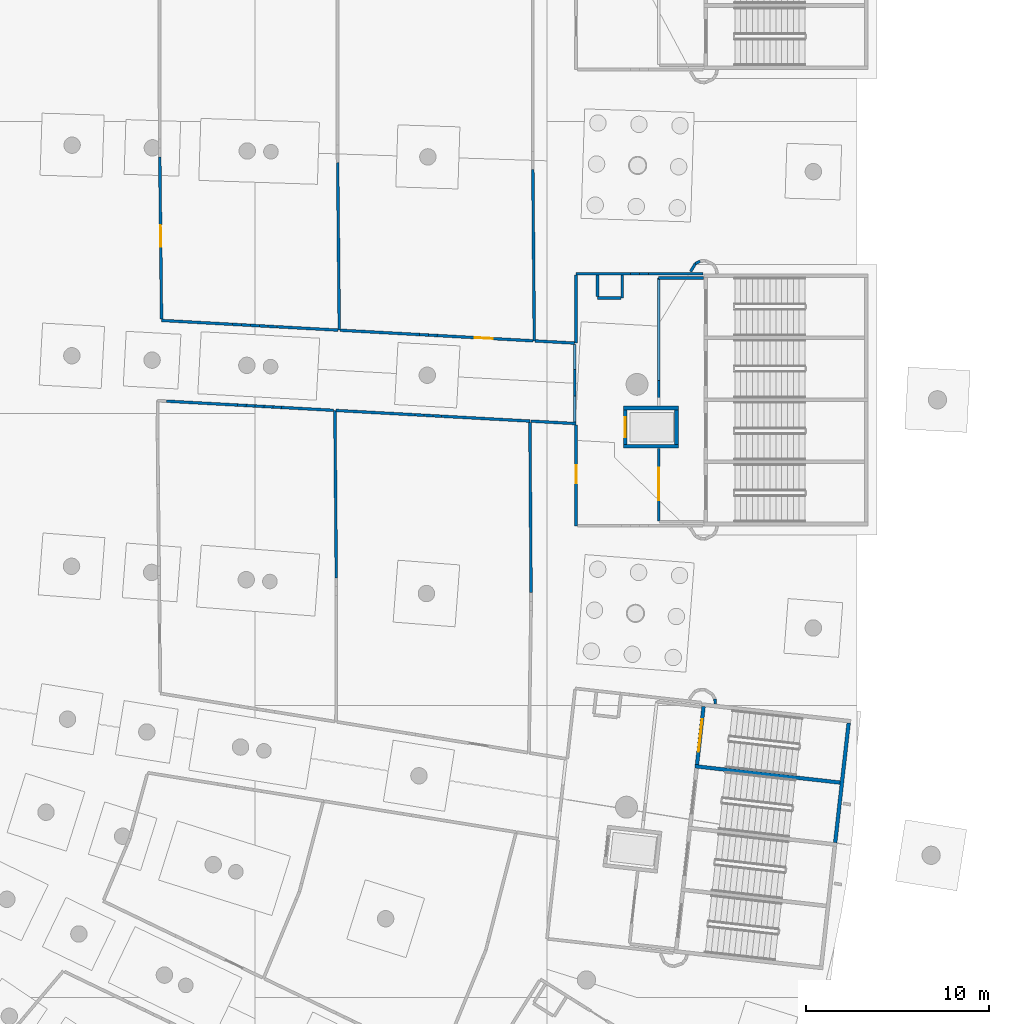
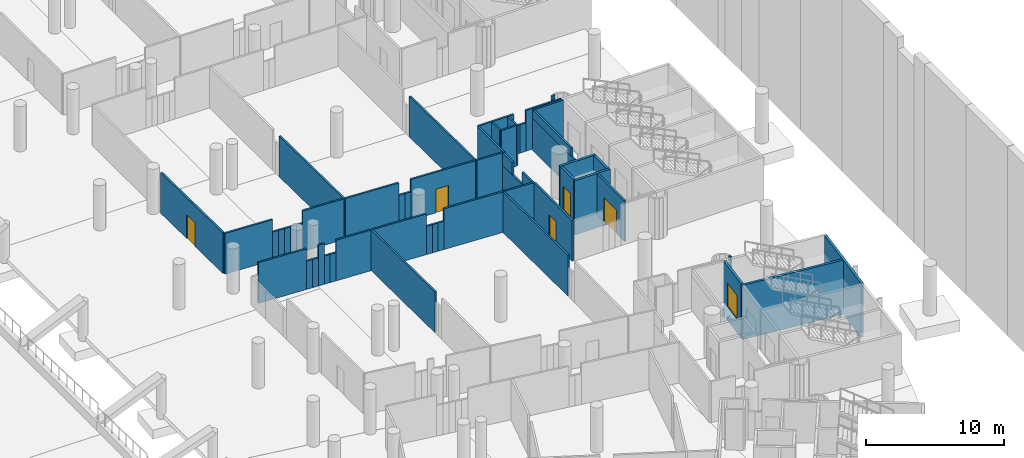
# One storey, part 62 of 142: 56 walls, 6 doors, 6 openings.
"""IFC4 building model written with IfcOpenShell, lengths in metres."""

from ifc_helpers import new_model, si_unit, direction, frame, frame_2d, origin, place, context, subcontext, project, spatial, rectangle, extrude, material, layer, layer_set, type_object, element, fill, save


model = new_model("IFC4")

# Units and contexts
model_context = context("Model", 3, precision=1e-05, world=origin(), true_north=direction((0.0, 1.0)))
body_context = subcontext(model_context, "Body", "Model", "MODEL_VIEW")
ifc_project = project(units=[si_unit("LENGTHUNIT", "METRE"), si_unit("AREAUNIT", "SQUARE_METRE"), si_unit("VOLUMEUNIT", "CUBIC_METRE"), si_unit("PLANEANGLEUNIT", "RADIAN"), si_unit("MASSUNIT", "GRAM", prefix="KILO")], contexts=[model_context])

# Site, building, storey
site_placement = place(None, origin())
site = spatial("IfcSite", under=ifc_project, at=site_placement, CompositionType="ELEMENT")
building_placement = place(site_placement, origin())
building = spatial("IfcBuilding", under=site, at=building_placement, Name="Meseta Stadium", CompositionType="ELEMENT")
storey_placement = place(building_placement, frame((0.0, 0.0, -4.0)))
storey = spatial("IfcBuildingStorey", under=building, at=storey_placement, Name="B1", CompositionType="ELEMENT", Elevation=-4.0)

# Walls
ifc_material_1 = material(Name="Concrete C40/50", Category="concrete")
ifc_layer_1 = layer(ifc_material_1, 0.199951171875)
ifc_layer_set_1 = layer_set([ifc_layer_1], Name="Core divider wall 200")
wall_type_1 = type_object("IfcWallType", Name="Core divider wall 200", PredefinedType="SHEAR", material=ifc_layer_set_1)
wall_1_placement = place(storey_placement, frame((96.264892578125, -52.241943359375, -1.199951171875), z_axis=(0.0, 0.0, 1.0), x_axis=(-0.993713731549, 0.111950970206, 0.0)))
element("IfcWall", 1, at=wall_1_placement, inside=storey, type_object=wall_type_1, Name="Core 01 B1 stair B divider wall", PredefinedType="SHEAR", context=body_context, shape_type="SweptSolid", body=[
    extrude(rectangle(XDim=8.19970703125, YDim=0.199951171875, at=frame_2d((4.099853515625, 0.0))), origin(), (0.0, 0.0, 1.0), 4.800048828125),
])
ifc_material_2 = material(Name="Concrete C40/50", Category="concrete")
ifc_layer_2 = layer(ifc_material_2, 0.199951171875)
ifc_layer_set_2 = layer_set([ifc_layer_2], Name="Core shaft wall 200")
wall_type_2 = type_object("IfcWallType", Name="Core shaft wall 200", PredefinedType="SHEAR", material=ifc_layer_set_2)
wall_2_placement = place(storey_placement, frame((95.796142578125, -55.510009765625, -1.199951171875), z_axis=(0.0, 0.0, 1.0), x_axis=(0.111970106426, 0.993711575492, 0.0)))
element("IfcWall", 2, at=wall_2_placement, inside=storey, type_object=wall_type_2, Name="Core 01 B1 stair B outer end wall", PredefinedType="SHEAR", context=body_context, shape_type="SweptSolid", body=[
    extrude(rectangle(XDim=6.60009765625, YDim=0.199951171875, at=frame_2d((3.300048828125, 0.0))), origin(), (0.0, 0.0, 1.0), 4.800048828125),
])

# Wall, opening, door
wall_3_placement = place(storey_placement, frame((88.227294921875, -51.235595703125, -1.199951171875), z_axis=(0.0, 0.0, 1.0), x_axis=(0.111930393474, 0.993716049491, 0.0)))
wall_3 = element("IfcWall", 3, at=wall_3_placement, inside=storey, type_object=wall_type_2, Name="Core 01 B1 stair B2 inner end wall", PredefinedType="SHEAR", context=body_context, shape_type="SweptSolid", body=[
    extrude(rectangle(XDim=3.19970703125, YDim=0.199951171875, at=frame_2d((1.599853515625, 0.0))), origin(), (0.0, 0.0, 1.0), 4.800048828125),
])
opening_1_placement = place(wall_3_placement, frame((0.699951171875, 0.0, 1.199951171875)))
opening_1 = element("IfcOpeningElement", 4, at=opening_1_placement, cuts=wall_3, Name="Opening D034", PredefinedType="OPENING", context=body_context, shape_type="SweptSolid", body=[
    extrude(rectangle(XDim=1.800048828125, YDim=2.10009765625, at=frame_2d((0.89990234375, 1.050048828125))), frame((0.0, 0.10986328125, 0.0), z_axis=(0.0, -1.0, 0.0), x_axis=(1.0, 0.0, 0.0)), (0.0, 0.0, 1.0), 0.219970703125),
])
ifc_material_3 = material(Name="Steel", Category="steel")
door_type_1 = type_object("IfcDoorType", Name="Stair door 1800x2100", OperationType="DOUBLE_DOOR_SINGLE_SWING", PredefinedType="DOOR", material=ifc_material_3)
door_1_placement = place(opening_1_placement, origin())
door_1 = element("IfcDoor", 5, at=door_1_placement, inside=storey, type_object=door_type_1, Name="Stair B2 door 01 B1", OperationType="DOUBLE_DOOR_SINGLE_SWING", OverallHeight=2.10009765625, OverallWidth=1.800048828125, PredefinedType="DOOR", context=body_context, shape_type="SweptSolid", body=[
    extrude(rectangle(XDim=1.800048828125, YDim=2.10009765625, at=frame_2d((0.89990234375, 1.050048828125))), frame((0.0, 0.02490234375, 0.0), z_axis=(0.0, -1.0, 0.0), x_axis=(1.0, 0.0, 0.0)), (0.0, 0.0, 1.0), 0.050048828125),
])
fill(opening_1, door_1)

# Walls
for number, where, z_axis, x_axis, name in (
    (6, (87.199951171875, -33.800048828125, -1.199951171875), (0.0, 0.0, 1.0), (-1.0, 0.0, 0.0), "Core 02 B1 lift shaft wall left"),
    (7, (87.199951171875, -31.699951171875, -1.199951171875), (0.0, 0.0, 1.0), (-1.0, 0.0, 0.0), "Core 02 B1 lift shaft wall right"),
):
    element("IfcWall", number, at=place(storey_placement, frame(where, z_axis=z_axis, x_axis=x_axis)), inside=storey, type_object=wall_type_2, Name=name, PredefinedType="SHEAR", context=body_context, shape_type="SweptSolid", body=[
        extrude(rectangle(XDim=3.0, YDim=0.199951171875, at=frame_2d((1.5, 0.0))), origin(), (0.0, 0.0, 1.0), 4.800048828125),
    ])
wall_4_placement = place(storey_placement, frame((87.10009765625, -33.699951171875, -1.199951171875), z_axis=(0.0, 0.0, 1.0), x_axis=(0.0, 1.0, 0.0)))
element("IfcWall", 8, at=wall_4_placement, inside=storey, type_object=wall_type_2, Name="Core 02 B1 lift shaft back wall", PredefinedType="SHEAR", context=body_context, shape_type="SweptSolid", body=[
    extrude(rectangle(XDim=1.89990234375, YDim=0.199951171875, at=frame_2d((0.949951171875, 0.0))), origin(), (0.0, 0.0, 1.0), 4.800048828125),
])

# Wall, opening, door
wall_5_placement = place(storey_placement, frame((84.300048828125, -33.699951171875, -1.199951171875), z_axis=(0.0, 0.0, 1.0), x_axis=(0.0, 1.0, 0.0)))
wall_5 = element("IfcWall", 9, at=wall_5_placement, inside=storey, type_object=wall_type_2, Name="Core 02 B1 lift shaft front wall", PredefinedType="SHEAR", context=body_context, shape_type="SweptSolid", body=[
    extrude(rectangle(XDim=1.89990234375, YDim=0.199951171875, at=frame_2d((0.949951171875, 0.0))), origin(), (0.0, 0.0, 1.0), 4.800048828125),
])
opening_2_placement = place(wall_5_placement, frame((0.39990234375, 0.0, 1.199951171875)))
opening_2 = element("IfcOpeningElement", 10, at=opening_2_placement, cuts=wall_5, Name="Opening LD7", PredefinedType="OPENING", context=body_context, shape_type="SweptSolid", body=[
    extrude(rectangle(XDim=1.10009765625, YDim=2.10009765625, at=frame_2d((0.550048828125, 1.050048828125))), frame((0.0, 0.10986328125, 0.0), z_axis=(0.0, -1.0, 0.0), x_axis=(1.0, 0.0, 0.0)), (0.0, 0.0, 1.0), 0.219970703125),
])
ifc_material_4 = material(Name="Steel", Category="steel")
door_type_2 = type_object("IfcDoorType", Name="Lift landing door 1100x2100", OperationType="SLIDING_TO_LEFT", PredefinedType="DOOR", material=ifc_material_4)
door_2_placement = place(opening_2_placement, origin())
door_2 = element("IfcDoor", 11, at=door_2_placement, inside=storey, type_object=door_type_2, Name="Lift landing door LD7", OperationType="SLIDING_TO_LEFT", OverallHeight=2.10009765625, OverallWidth=1.10009765625, PredefinedType="DOOR", context=body_context, shape_type="SweptSolid", body=[
    extrude(rectangle(XDim=1.10009765625, YDim=2.10009765625, at=frame_2d((0.550048828125, 1.050048828125))), frame((0.0, 0.02490234375, 0.0), z_axis=(0.0, -1.0, 0.0), x_axis=(1.0, 0.0, 0.0)), (0.0, 0.0, 1.0), 0.050048828125),
])
fill(opening_2, door_2)

# Walls
ifc_material_5 = material(Name="Masonry blockwork", Category="masonry")
ifc_layer_3 = layer(ifc_material_5, 0.14990234375)
ifc_layer_set_3 = layer_set([ifc_layer_3], Name="Partition 150")
wall_type_3 = type_object("IfcWallType", Name="Partition 150", PredefinedType="PARTITIONING", material=ifc_layer_set_3)
wall_6_placement = place(storey_placement, frame((68.38818359375, -31.829833984375, 0.0), z_axis=(0.0, 0.0, 1.0), x_axis=(0.008385393601, -0.999964841969, 0.0)))
element("IfcWall", 12, at=wall_6_placement, inside=storey, type_object=wall_type_3, Name="Partition B1 B1-cell00-1-0", PredefinedType="PARTITIONING", context=body_context, shape_type="SweptSolid", body=[
    extrude(rectangle(XDim=9.171142578125, YDim=0.14990234375, at=frame_2d((4.58544921875, 0.0))), origin(), (0.0, 0.0, 1.0), 3.60009765625),
])
wall_7_placement = place(storey_placement, frame((59.163818359375, -31.32421875, 0.0), z_axis=(0.0, 0.0, 1.0), x_axis=(0.998501024758, -0.054733020718, 0.0)))
element("IfcWall", 13, at=wall_7_placement, inside=storey, type_object=wall_type_3, Name="Partition B1 B1-cell00-1-0", PredefinedType="PARTITIONING", context=body_context, shape_type="SweptSolid", body=[
    extrude(rectangle(XDim=3.8896484375, YDim=0.14990234375, at=frame_2d((1.94482421875, 0.0))), origin(), (0.0, 0.0, 1.0), 3.60009765625),
])
for number, where, z_axis, x_axis, name in (
    (14, (63.047607421875, -31.537109375, 0.0), (0.0, 0.0, 1.0), (0.998501776603, -0.054719302991, 0.0), "Partition B1 B1-cell00-1-0"),
    (15, (63.533203125, -31.563720703125, 0.0), (0.0, 0.0, 1.0), (0.998501776603, -0.054719302991, 0.0), "Partition B1 B1-cell00-1-0"),
):
    element("IfcWall", number, at=place(storey_placement, frame(where, z_axis=z_axis, x_axis=x_axis)), inside=storey, type_object=wall_type_3, Name=name, PredefinedType="PARTITIONING", context=body_context, shape_type="SweptSolid", body=[
        extrude(rectangle(XDim=0.486328125, YDim=0.14990234375, at=frame_2d((0.2431640625, 0.0))), origin(), (0.0, 0.0, 1.0), 2.5),
    ])
wall_8_placement = place(storey_placement, frame((64.018798828125, -31.59033203125, 0.0), z_axis=(0.0, 0.0, 1.0), x_axis=(0.998500272347, -0.054746745315, 0.0)))
element("IfcWall", 16, at=wall_8_placement, inside=storey, type_object=wall_type_3, Name="Partition B1 B1-cell00-1-0", PredefinedType="PARTITIONING", context=body_context, shape_type="SweptSolid", body=[
    extrude(rectangle(XDim=0.486083984375, YDim=0.14990234375, at=frame_2d((0.2431640625, 0.0))), origin(), (0.0, 0.0, 1.0), 3.60009765625),
])
wall_9_placement = place(storey_placement, frame((64.504150390625, -31.616943359375, 0.0), z_axis=(0.0, 0.0, 1.0), x_axis=(0.998501776603, -0.054719302991, 0.0)))
element("IfcWall", 17, at=wall_9_placement, inside=storey, type_object=wall_type_3, Name="Partition B1 B1-cell00-1-0", PredefinedType="PARTITIONING", context=body_context, shape_type="SweptSolid", body=[
    extrude(rectangle(XDim=0.486328125, YDim=0.14990234375, at=frame_2d((0.2431640625, 0.0))), origin(), (0.0, 0.0, 1.0), 2.5),
])
wall_10_placement = place(storey_placement, frame((64.98974609375, -31.6435546875, 0.0), z_axis=(0.0, 0.0, 1.0), x_axis=(0.998500272347, -0.054746745315, 0.0)))
element("IfcWall", 18, at=wall_10_placement, inside=storey, type_object=wall_type_3, Name="Partition B1 B1-cell00-1-0", PredefinedType="PARTITIONING", context=body_context, shape_type="SweptSolid", body=[
    extrude(rectangle(XDim=0.486083984375, YDim=0.14990234375, at=frame_2d((0.2431640625, 0.0))), origin(), (0.0, 0.0, 1.0), 2.5),
])
wall_11_placement = place(storey_placement, frame((65.47509765625, -31.670166015625, 0.0), z_axis=(0.0, 0.0, 1.0), x_axis=(0.998502088035, -0.054713619792, 0.0)))
element("IfcWall", 19, at=wall_11_placement, inside=storey, type_object=wall_type_3, Name="Partition B1 B1-cell00-1-0", PredefinedType="PARTITIONING", context=body_context, shape_type="SweptSolid", body=[
    extrude(rectangle(XDim=2.84228515625, YDim=0.14990234375, at=frame_2d((1.421142578125, 0.0))), origin(), (0.0, 0.0, 1.0), 3.60009765625),
])
wall_12_placement = place(storey_placement, frame((68.438232421875, -31.83251953125, 0.0), z_axis=(0.0, 0.0, 1.0), x_axis=(0.998500264643, -0.054746885827, 0.0)))
element("IfcWall", 20, at=wall_12_placement, inside=storey, type_object=wall_type_3, Name="Partition B1 B1-cell00-2-0", PredefinedType="PARTITIONING", context=body_context, shape_type="SweptSolid", body=[
    extrude(rectangle(XDim=4.35693359375, YDim=0.14990234375, at=frame_2d((2.178466796875, 0.0))), origin(), (0.0, 0.0, 1.0), 3.60009765625),
])
wall_13_placement = place(storey_placement, frame((72.78857421875, -32.071044921875, 0.0), z_axis=(0.0, 0.0, 1.0), x_axis=(0.998488156378, -0.054967277296, 0.0)))
element("IfcWall", 21, at=wall_13_placement, inside=storey, type_object=wall_type_3, Name="Partition B1 B1-cell00-2-0", PredefinedType="PARTITIONING", context=body_context, shape_type="SweptSolid", body=[
    extrude(rectangle(XDim=0.484130859375, YDim=0.14990234375, at=frame_2d((0.2421875, 0.0))), origin(), (0.0, 0.0, 1.0), 2.5),
])
wall_14_placement = place(storey_placement, frame((73.27197265625, -32.09765625, 0.0), z_axis=(0.0, 0.0, 1.0), x_axis=(0.998514210852, -0.054491932679, 0.0)))
element("IfcWall", 22, at=wall_14_placement, inside=storey, type_object=wall_type_3, Name="Partition B1 B1-cell00-2-0", PredefinedType="PARTITIONING", context=body_context, shape_type="SweptSolid", body=[
    extrude(rectangle(XDim=0.48388671875, YDim=0.14990234375, at=frame_2d((0.241943359375, 0.0))), origin(), (0.0, 0.0, 1.0), 2.5),
])
wall_15_placement = place(storey_placement, frame((73.755126953125, -32.1240234375, 0.0), z_axis=(0.0, 0.0, 1.0), x_axis=(0.998488156378, -0.054967277296, 0.0)))
element("IfcWall", 23, at=wall_15_placement, inside=storey, type_object=wall_type_3, Name="Partition B1 B1-cell00-2-0", PredefinedType="PARTITIONING", context=body_context, shape_type="SweptSolid", body=[
    extrude(rectangle(XDim=0.484130859375, YDim=0.14990234375, at=frame_2d((0.2421875, 0.0))), origin(), (0.0, 0.0, 1.0), 2.5),
])
wall_16_placement = place(storey_placement, frame((74.238525390625, -32.150634765625, 0.0), z_axis=(0.0, 0.0, 1.0), x_axis=(0.998501812622, -0.054718645724, 0.0)))
element("IfcWall", 24, at=wall_16_placement, inside=storey, type_object=wall_type_3, Name="Partition B1 B1-cell00-2-0", PredefinedType="PARTITIONING", context=body_context, shape_type="SweptSolid", body=[
    extrude(rectangle(XDim=4.841064453125, YDim=0.14990234375, at=frame_2d((2.42041015625, 0.0))), origin(), (0.0, 0.0, 1.0), 3.60009765625),
])
wall_17_placement = place(storey_placement, frame((79.07275390625, -32.49072265625, 0.0), z_axis=(0.0, 0.0, 1.0), x_axis=(0.006629312175, -0.999978025869, 0.0)))
element("IfcWall", 25, at=wall_17_placement, inside=storey, type_object=wall_type_3, Name="Partition B1 B1-cell00-2-0", PredefinedType="PARTITIONING", context=body_context, shape_type="SweptSolid", body=[
    extrude(rectangle(XDim=9.3173828125, YDim=0.14990234375, at=frame_2d((4.65869140625, 0.0))), origin(), (0.0, 0.0, 1.0), 3.60009765625),
])
wall_18_placement = place(storey_placement, frame((79.122314453125, -32.418212890625, 0.0), z_axis=(0.0, 0.0, 1.0), x_axis=(0.998497362752, -0.05479978629, 0.0)))
element("IfcWall", 26, at=wall_18_placement, inside=storey, type_object=wall_type_3, Name="Partition B1 B1-cell00-3-0", PredefinedType="PARTITIONING", context=body_context, shape_type="SweptSolid", body=[
    extrude(rectangle(XDim=2.4814453125, YDim=0.14990234375, at=frame_2d((1.24072265625, 0.0))), origin(), (0.0, 0.0, 1.0), 3.60009765625),
])

# Wall, opening, door
wall_19_placement = place(storey_placement, frame((81.60009765625, -32.62939453125, 0.0), z_axis=(0.0, 0.0, 1.0), x_axis=(0.0, -1.0, 0.0)))
wall_19 = element("IfcWall", 27, at=wall_19_placement, inside=storey, type_object=wall_type_3, Name="Partition B1 B1-cell00-3-0", PredefinedType="PARTITIONING", context=body_context, shape_type="SweptSolid", body=[
    extrude(rectangle(XDim=5.5205078125, YDim=0.14990234375, at=frame_2d((2.76025390625, 0.0))), origin(), (0.0, 0.0, 1.0), 3.60009765625),
])
opening_3_placement = place(wall_19_placement, frame((2.199951171875, 0.0, 0.0)))
opening_3 = element("IfcOpeningElement", 28, at=opening_3_placement, cuts=wall_19, Name="Opening D435", PredefinedType="OPENING", context=body_context, shape_type="SweptSolid", body=[
    extrude(rectangle(XDim=1.0, YDim=2.10009765625, at=frame_2d((0.5, 1.050048828125))), frame((0.0, 0.0849609375, 0.0), z_axis=(0.0, -1.0, 0.0), x_axis=(1.0, 0.0, 0.0)), (0.0, 0.0, 1.0), 0.169921875),
])
ifc_material_6 = material(Name="Steel", Category="steel")
door_type_3 = type_object("IfcDoorType", Name="Fire door 1000x2100 EI2 60", OperationType="NOTDEFINED", PredefinedType="DOOR", material=ifc_material_6)
door_3_placement = place(opening_3_placement, origin())
door_3 = element("IfcDoor", 29, at=door_3_placement, inside=storey, type_object=door_type_3, Name="Door D435", OperationType="SINGLE_SWING_RIGHT", OverallHeight=2.10009765625, OverallWidth=1.0, PredefinedType="DOOR", context=body_context, shape_type="SweptSolid", body=[
    extrude(rectangle(XDim=1.0, YDim=2.10009765625, at=frame_2d((0.5, 1.050048828125))), frame((0.0, 0.02490234375, 0.0), z_axis=(0.0, -1.0, 0.0), x_axis=(1.0, 0.0, 0.0)), (0.0, 0.0, 1.0), 0.050048828125),
])
fill(opening_3, door_3)

# Walls
wall_20_placement = place(storey_placement, frame((68.539794921875, -18.263427734375, 0.0), z_axis=(0.0, 0.0, 1.0), x_axis=(0.009740575327, -0.999952559471, 0.0)))
element("IfcWall", 30, at=wall_20_placement, inside=storey, type_object=wall_type_3, Name="Partition B1 B1-cell01-1-0", PredefinedType="PARTITIONING", context=body_context, shape_type="SweptSolid", body=[
    extrude(rectangle(XDim=9.173583984375, YDim=0.14990234375, at=frame_2d((4.5869140625, 0.0))), origin(), (0.0, 0.0, 1.0), 3.60009765625),
])
wall_21_placement = place(storey_placement, frame((68.55419921875, -27.432373046875, 0.0), z_axis=(0.0, 0.0, 1.0), x_axis=(-0.998497934157, 0.054789373823, 0.0)))
element("IfcWall", 31, at=wall_21_placement, inside=storey, type_object=wall_type_3, Name="Partition B1 B1-cell01-1-0", PredefinedType="PARTITIONING", context=body_context, shape_type="SweptSolid", body=[
    extrude(rectangle(XDim=3.337646484375, YDim=0.14990234375, at=frame_2d((1.6689453125, 0.0))), origin(), (0.0, 0.0, 1.0), 3.60009765625),
])
wall_22_placement = place(storey_placement, frame((65.2216796875, -27.24951171875, 0.0), z_axis=(0.0, 0.0, 1.0), x_axis=(-0.99850777107, 0.054609807851, 0.0)))
element("IfcWall", 32, at=wall_22_placement, inside=storey, type_object=wall_type_3, Name="Partition B1 B1-cell01-1-0", PredefinedType="PARTITIONING", context=body_context, shape_type="SweptSolid", body=[
    extrude(rectangle(XDim=0.4873046875, YDim=0.14990234375, at=frame_2d((0.24365234375, 0.0))), origin(), (0.0, 0.0, 1.0), 2.5),
])
for number, where, z_axis, x_axis, name in (
    (33, (64.735107421875, -27.222900390625, 0.0), (0.0, 0.0, 1.0), (-0.998509264069, 0.054582502399, 0.0), "Partition B1 B1-cell01-1-0"),
    (34, (64.248291015625, -27.1962890625, 0.0), (0.0, 0.0, 1.0), (-0.998509264069, 0.054582502399, 0.0), "Partition B1 B1-cell01-1-0"),
    (35, (63.761474609375, -27.169677734375, 0.0), (0.0, 0.0, 1.0), (-0.998481848187, 0.055081746891, 0.0), "Partition B1 B1-cell01-1-0"),
    (36, (63.274658203125, -27.142822265625, 0.0), (0.0, 0.0, 1.0), (-0.998509264069, 0.054582502399, 0.0), "Partition B1 B1-cell01-1-0"),
):
    element("IfcWall", number, at=place(storey_placement, frame(where, z_axis=z_axis, x_axis=x_axis)), inside=storey, type_object=wall_type_3, Name=name, PredefinedType="PARTITIONING", context=body_context, shape_type="SweptSolid", body=[
        extrude(rectangle(XDim=0.487548828125, YDim=0.14990234375, at=frame_2d((0.24365234375, 0.0))), origin(), (0.0, 0.0, 1.0), 2.5),
    ])
wall_23_placement = place(storey_placement, frame((62.787841796875, -27.1162109375, 0.0), z_axis=(0.0, 0.0, 1.0), x_axis=(-0.99849863659, 0.054776570973, 0.0)))
element("IfcWall", 37, at=wall_23_placement, inside=storey, type_object=wall_type_3, Name="Partition B1 B1-cell01-1-0", PredefinedType="PARTITIONING", context=body_context, shape_type="SweptSolid", body=[
    extrude(rectangle(XDim=3.89990234375, YDim=0.14990234375, at=frame_2d((1.949951171875, 0.0))), origin(), (0.0, 0.0, 1.0), 3.60009765625),
])

# Wall, opening, door
wall_24_placement = place(storey_placement, frame((58.892822265625, -26.82763671875, 0.0), z_axis=(0.0, 0.0, 1.0), x_axis=(-0.010926053522, 0.999940308896, 0.0)))
wall_24 = element("IfcWall", 38, at=wall_24_placement, inside=storey, type_object=wall_type_3, Name="Partition B1 B1-cell01-1-0", PredefinedType="PARTITIONING", context=body_context, shape_type="SweptSolid", body=[
    extrude(rectangle(XDim=8.870849609375, YDim=0.14990234375, at=frame_2d((4.435546875, 0.0))), origin(), (0.0, 0.0, 1.0), 3.60009765625),
])
opening_4_placement = place(wall_24_placement, frame((3.949951171875, 0.0, 0.0)))
opening_4 = element("IfcOpeningElement", 39, at=opening_4_placement, cuts=wall_24, Name="Opening D436", PredefinedType="OPENING", context=body_context, shape_type="SweptSolid", body=[
    extrude(rectangle(XDim=1.199951171875, YDim=2.10009765625, at=frame_2d((0.60009765625, 1.050048828125))), frame((0.0, 0.0849609375, 0.0), z_axis=(0.0, -1.0, 0.0), x_axis=(1.0, 0.0, 0.0)), (0.0, 0.0, 1.0), 0.169921875),
])
ifc_material_7 = material(Name="Steel", Category="steel")
door_type_4 = type_object("IfcDoorType", Name="Fire door 1200x2100 EI2 60", OperationType="NOTDEFINED", PredefinedType="DOOR", material=ifc_material_7)
door_4_placement = place(opening_4_placement, origin())
door_4 = element("IfcDoor", 40, at=door_4_placement, inside=storey, type_object=door_type_4, Name="Door D436", OperationType="SINGLE_SWING_RIGHT", OverallHeight=2.10009765625, OverallWidth=1.199951171875, PredefinedType="DOOR", context=body_context, shape_type="SweptSolid", body=[
    extrude(rectangle(XDim=1.199951171875, YDim=2.10009765625, at=frame_2d((0.60009765625, 1.050048828125))), frame((0.0, 0.02490234375, 0.0), z_axis=(0.0, -1.0, 0.0), x_axis=(1.0, 0.0, 0.0)), (0.0, 0.0, 1.0), 0.050048828125),
])
fill(opening_4, door_4)

# Wall
wall_25_placement = place(storey_placement, frame((79.2333984375, -18.626953125, 0.0), z_axis=(0.0, 0.0, 1.0), x_axis=(0.008470969086, -0.999964120698, 0.0)))
element("IfcWall", 41, at=wall_25_placement, inside=storey, type_object=wall_type_3, Name="Partition B1 B1-cell01-2-0", PredefinedType="PARTITIONING", context=body_context, shape_type="SweptSolid", body=[
    extrude(rectangle(XDim=9.3955078125, YDim=0.14990234375, at=frame_2d((4.69775390625, 0.0))), origin(), (0.0, 0.0, 1.0), 3.60009765625),
])

# Wall, opening, door
wall_26_placement = place(storey_placement, frame((79.238037109375, -28.01806640625, 0.0), z_axis=(0.0, 0.0, 1.0), x_axis=(-0.998500864351, 0.054735946968, 0.0)))
wall_26 = element("IfcWall", 42, at=wall_26_placement, inside=storey, type_object=wall_type_3, Name="Partition B1 B1-cell01-2-0", PredefinedType="PARTITIONING", context=body_context, shape_type="SweptSolid", body=[
    extrude(rectangle(XDim=5.249755859375, YDim=0.14990234375, at=frame_2d((2.625, 0.0))), origin(), (0.0, 0.0, 1.0), 3.60009765625),
])
opening_5_placement = place(wall_26_placement, frame((2.199951171875, 0.0, 0.0)))
opening_5 = element("IfcOpeningElement", 43, at=opening_5_placement, cuts=wall_26, Name="Opening D437", PredefinedType="OPENING", context=body_context, shape_type="SweptSolid", body=[
    extrude(rectangle(XDim=1.0, YDim=2.10009765625, at=frame_2d((0.5, 1.050048828125))), frame((0.0, 0.0849609375, 0.0), z_axis=(0.0, -1.0, 0.0), x_axis=(1.0, 0.0, 0.0)), (0.0, 0.0, 1.0), 0.169921875),
])
ifc_material_8 = material(Name="Steel", Category="steel")
door_type_5 = type_object("IfcDoorType", Name="Fire door 1000x2100 EI2 120", OperationType="NOTDEFINED", PredefinedType="DOOR", material=ifc_material_8)
door_5_placement = place(opening_5_placement, origin())
door_5 = element("IfcDoor", 44, at=door_5_placement, inside=storey, type_object=door_type_5, Name="Door D437", OperationType="SINGLE_SWING_RIGHT", OverallHeight=2.10009765625, OverallWidth=1.0, PredefinedType="DOOR", context=body_context, shape_type="SweptSolid", body=[
    extrude(rectangle(XDim=1.0, YDim=2.10009765625, at=frame_2d((0.5, 1.050048828125))), frame((0.0, 0.02490234375, 0.0), z_axis=(0.0, -1.0, 0.0), x_axis=(1.0, 0.0, 0.0)), (0.0, 0.0, 1.0), 0.050048828125),
])
fill(opening_5, door_5)

# Walls
for number, where, z_axis, x_axis, name in (
    (45, (73.99609375, -27.730712890625, 0.0), (0.0, 0.0, 1.0), (-0.998488156378, 0.054967277296, 0.0), "Partition B1 B1-cell01-2-0"),
    (46, (73.5126953125, -27.7041015625, 0.0), (0.0, 0.0, 1.0), (-0.998515707931, 0.05446449316, 0.0), "Partition B1 B1-cell01-2-0"),
):
    element("IfcWall", number, at=place(storey_placement, frame(where, z_axis=z_axis, x_axis=x_axis)), inside=storey, type_object=wall_type_3, Name=name, PredefinedType="PARTITIONING", context=body_context, shape_type="SweptSolid", body=[
        extrude(rectangle(XDim=0.484130859375, YDim=0.14990234375, at=frame_2d((0.2421875, 0.0))), origin(), (0.0, 0.0, 1.0), 2.5),
    ])
wall_27_placement = place(storey_placement, frame((73.029296875, -27.677734375, 0.0), z_axis=(0.0, 0.0, 1.0), x_axis=(-0.998500264643, 0.054746885827, 0.0)))
element("IfcWall", 47, at=wall_27_placement, inside=storey, type_object=wall_type_3, Name="Partition B1 B1-cell01-2-0", PredefinedType="PARTITIONING", context=body_context, shape_type="SweptSolid", body=[
    extrude(rectangle(XDim=4.35693359375, YDim=0.14990234375, at=frame_2d((2.178466796875, 0.0))), origin(), (0.0, 0.0, 1.0), 3.60009765625),
])
wall_28_placement = place(storey_placement, frame((88.56005859375, -24.35009765625, 0.0), z_axis=(0.0, 0.0, 1.0), x_axis=(-1.0, 0.0, 0.0)))
element("IfcWall", 48, at=wall_28_placement, inside=storey, type_object=wall_type_3, Name="Partition B1 B1-cell01-3-0", PredefinedType="PARTITIONING", context=body_context, shape_type="SweptSolid", body=[
    extrude(rectangle(XDim=2.98291015625, YDim=0.14990234375, at=frame_2d((1.491455078125, 0.0))), origin(), (0.0, 0.0, 1.0), 3.60009765625),
])
for number, where, z_axis, x_axis, name in (
    (49, (85.5771484375, -24.35009765625, 0.0), (0.0, 0.0, 1.0), (-1.0, 0.0, 0.0), "Partition B1 B1-cell01-3-0"),
    (50, (85.080078125, -24.35009765625, 0.0), (0.0, 0.0, 1.0), (-1.0, 0.0, 0.0), "Partition B1 B1-cell01-3-0"),
):
    element("IfcWall", number, at=place(storey_placement, frame(where, z_axis=z_axis, x_axis=x_axis)), inside=storey, type_object=wall_type_3, Name=name, PredefinedType="PARTITIONING", context=body_context, shape_type="SweptSolid", body=[
        extrude(rectangle(XDim=0.4970703125, YDim=0.14990234375, at=frame_2d((0.24853515625, 0.0))), origin(), (0.0, 0.0, 1.0), 2.5),
    ])
wall_29_placement = place(storey_placement, frame((84.5830078125, -24.35009765625, 0.0), z_axis=(0.0, 0.0, 1.0), x_axis=(-1.0, 0.0, 0.0)))
element("IfcWall", 51, at=wall_29_placement, inside=storey, type_object=wall_type_3, Name="Partition B1 B1-cell01-3-0", PredefinedType="PARTITIONING", context=body_context, shape_type="SweptSolid", body=[
    extrude(rectangle(XDim=2.98291015625, YDim=0.14990234375, at=frame_2d((1.491455078125, 0.0))), origin(), (0.0, 0.0, 1.0), 3.60009765625),
])
wall_30_placement = place(storey_placement, frame((81.60009765625, -24.425048828125, 0.0), z_axis=(0.0, 0.0, 1.0), x_axis=(0.0, -1.0, 0.0)))
element("IfcWall", 52, at=wall_30_placement, inside=storey, type_object=wall_type_3, Name="Partition B1 B1-cell01-3-0", PredefinedType="PARTITIONING", context=body_context, shape_type="SweptSolid", body=[
    extrude(rectangle(XDim=3.72265625, YDim=0.14990234375, at=frame_2d((1.861328125, 0.0))), origin(), (0.0, 0.0, 1.0), 3.60009765625),
])
wall_31_placement = place(storey_placement, frame((81.52490234375, -28.1435546875, 0.0), z_axis=(0.0, 0.0, 1.0), x_axis=(-0.998497253929, 0.054801769103, 0.0)))
element("IfcWall", 53, at=wall_31_placement, inside=storey, type_object=wall_type_3, Name="Partition B1 B1-cell01-3-0", PredefinedType="PARTITIONING", context=body_context, shape_type="SweptSolid", body=[
    extrude(rectangle(XDim=2.1650390625, YDim=0.14990234375, at=frame_2d((1.08251953125, 0.0))), origin(), (0.0, 0.0, 1.0), 3.60009765625),
])
wall_32_placement = place(storey_placement, frame((89.23681640625, -47.8994140625, 0.0), z_axis=(0.0, 0.0, 1.0), x_axis=(-0.120303078009, 0.992737210656, 0.0)))
element("IfcWall", 54, at=wall_32_placement, inside=storey, type_object=wall_type_3, Name="Stair vestibule wall B1 core 01", PredefinedType="PARTITIONING", context=body_context, shape_type="SweptSolid", body=[
    extrude(rectangle(XDim=0.2578125, YDim=0.14990234375, at=frame_2d((0.12890625, 0.0))), origin(), (0.0, 0.0, 1.0), 3.60009765625),
])
wall_33_placement = place(storey_placement, frame((84.125, -25.675048828125, 0.0), z_axis=(0.0, 0.0, 1.0), x_axis=(0.0, 1.0, 0.0)))
element("IfcWall", 55, at=wall_33_placement, inside=storey, type_object=wall_type_3, Name="Pressurisation shaft wall B1 core 02", PredefinedType="PARTITIONING", context=body_context, shape_type="SweptSolid", body=[
    extrude(rectangle(XDim=1.2490234375, YDim=0.14990234375, at=frame_2d((0.62451171875, 0.0))), origin(), (0.0, 0.0, 1.0), 3.60009765625),
])
wall_34_placement = place(storey_placement, frame((82.77490234375, -24.426025390625, 0.0), z_axis=(0.0, 0.0, 1.0), x_axis=(0.0, -1.0, 0.0)))
element("IfcWall", 56, at=wall_34_placement, inside=storey, type_object=wall_type_3, Name="Pressurisation shaft wall B1 core 02", PredefinedType="PARTITIONING", context=body_context, shape_type="SweptSolid", body=[
    extrude(rectangle(XDim=1.174072265625, YDim=0.14990234375, at=frame_2d((0.5869140625, 0.0))), origin(), (0.0, 0.0, 1.0), 3.60009765625),
])
wall_35_placement = place(storey_placement, frame((82.77490234375, -25.675048828125, 0.0), z_axis=(0.0, 0.0, 1.0), x_axis=(1.0, 0.0, 0.0)))
element("IfcWall", 57, at=wall_35_placement, inside=storey, type_object=wall_type_3, Name="Pressurisation shaft wall B1 core 02", PredefinedType="PARTITIONING", context=body_context, shape_type="SweptSolid", body=[
    extrude(rectangle(XDim=1.275146484375, YDim=0.14990234375, at=frame_2d((0.6376953125, 0.0))), origin(), (0.0, 0.0, 1.0), 3.60009765625),
])
wall_36_placement = place(storey_placement, frame((88.590087890625, -24.574951171875, 0.0), z_axis=(0.0, 0.0, 1.0), x_axis=(-1.0, 0.0, 0.0)))
element("IfcWall", 58, at=wall_36_placement, inside=storey, type_object=wall_type_3, Name="Stair vestibule wall B1 core 02", PredefinedType="PARTITIONING", context=body_context, shape_type="SweptSolid", body=[
    extrude(rectangle(XDim=2.465087890625, YDim=0.14990234375, at=frame_2d((1.232421875, 0.0))), origin(), (0.0, 0.0, 1.0), 3.60009765625),
])
wall_37_placement = place(storey_placement, frame((86.125, -24.574951171875, 0.0), z_axis=(0.0, 0.0, 1.0), x_axis=(0.0, -1.0, 0.0)))
element("IfcWall", 59, at=wall_37_placement, inside=storey, type_object=wall_type_3, Name="Stair vestibule wall B1 core 02", PredefinedType="PARTITIONING", context=body_context, shape_type="SweptSolid", body=[
    extrude(rectangle(XDim=7.01513671875, YDim=0.14990234375, at=frame_2d((3.507568359375, 0.0))), origin(), (0.0, 0.0, 1.0), 2.85009765625),
])
wall_38_placement = place(storey_placement, frame((86.125, -24.574951171875, 2.85009765625), z_axis=(0.0, 0.0, 1.0), x_axis=(0.0, -1.0, 0.0)))
element("IfcWall", 60, at=wall_38_placement, inside=storey, type_object=wall_type_3, Name="Stair vestibule wall B1 core 02", PredefinedType="PARTITIONING", context=body_context, shape_type="SweptSolid", body=[
    extrude(rectangle(XDim=5.612060546875, YDim=0.14990234375, at=frame_2d((2.80615234375, 0.0))), origin(), (0.0, 0.0, 1.0), 0.75),
])

# Wall, opening, door
wall_39_placement = place(storey_placement, frame((86.125, -33.909912109375, 0.0), z_axis=(0.0, 0.0, 1.0), x_axis=(0.0, -1.0, 0.0)))
wall_39 = element("IfcWall", 61, at=wall_39_placement, inside=storey, type_object=wall_type_3, Name="Stair vestibule wall B1 core 02", PredefinedType="PARTITIONING", context=body_context, shape_type="SweptSolid", body=[
    extrude(rectangle(XDim=3.97998046875, YDim=0.14990234375, at=frame_2d((1.989990234375, 0.0))), origin(), (0.0, 0.0, 1.0), 3.60009765625),
])
opening_6_placement = place(wall_39_placement, frame((1.050048828125, 0.0, 0.0)))
opening_6 = element("IfcOpeningElement", 62, at=opening_6_placement, cuts=wall_39, Name="Opening D715", PredefinedType="OPENING", context=body_context, shape_type="SweptSolid", body=[
    extrude(rectangle(XDim=1.800048828125, YDim=2.10009765625, at=frame_2d((0.89990234375, 1.050048828125))), frame((0.0, 0.0849609375, 0.0), z_axis=(0.0, -1.0, 0.0), x_axis=(1.0, 0.0, 0.0)), (0.0, 0.0, 1.0), 0.169921875),
])
ifc_material_9 = material(Name="Steel", Category="steel")
door_type_6 = type_object("IfcDoorType", Name="Fire double door 1800x2100 EI2 60", OperationType="DOUBLE_DOOR_SINGLE_SWING", PredefinedType="DOOR", material=ifc_material_9)
door_6_placement = place(opening_6_placement, origin())
door_6 = element("IfcDoor", 63, at=door_6_placement, inside=storey, type_object=door_type_6, Name="Stair vestibule door B1 core 02", OperationType="DOUBLE_DOOR_SINGLE_SWING", OverallHeight=2.10009765625, OverallWidth=1.800048828125, PredefinedType="DOOR", context=body_context, shape_type="SweptSolid", body=[
    extrude(rectangle(XDim=1.800048828125, YDim=2.10009765625, at=frame_2d((0.89990234375, 1.050048828125))), frame((0.0, 0.02490234375, 0.0), z_axis=(0.0, -1.0, 0.0), x_axis=(1.0, 0.0, 0.0)), (0.0, 0.0, 1.0), 0.050048828125),
])
fill(opening_6, door_6)

# Walls
wall_40_placement = place(storey_placement, frame((81.52490234375, -28.219482421875, 0.0), z_axis=(0.0, 0.0, 1.0), x_axis=(0.0, -1.0, 0.0)))
element("IfcWall", 64, at=wall_40_placement, inside=storey, type_object=wall_type_3, Name="Stair vestibule wall B1 core 02", PredefinedType="PARTITIONING", context=body_context, shape_type="SweptSolid", body=[
    extrude(rectangle(XDim=4.24951171875, YDim=0.14990234375, at=frame_2d((2.124755859375, 0.0))), origin(), (0.0, 0.0, 1.0), 2.5),
])
wall_41_placement = place(storey_placement, frame((81.52490234375, -28.219482421875, 2.5), z_axis=(0.0, 0.0, 1.0), x_axis=(0.0, -1.0, 0.0)))
element("IfcWall", 65, at=wall_41_placement, inside=storey, type_object=wall_type_3, Name="Stair vestibule wall B1 core 02", PredefinedType="PARTITIONING", context=body_context, shape_type="SweptSolid", body=[
    extrude(rectangle(XDim=1.375244140625, YDim=0.14990234375, at=frame_2d((0.6875, 0.0))), origin(), (0.0, 0.0, 1.0), 1.10009765625),
])
wall_42_placement = place(storey_placement, frame((81.52490234375, -31.031982421875, 2.5), z_axis=(0.0, 0.0, 1.0), x_axis=(0.0, -1.0, 0.0)))
element("IfcWall", 66, at=wall_42_placement, inside=storey, type_object=wall_type_3, Name="Stair vestibule wall B1 core 02", PredefinedType="PARTITIONING", context=body_context, shape_type="SweptSolid", body=[
    extrude(rectangle(XDim=1.43701171875, YDim=0.14990234375, at=frame_2d((0.718505859375, 0.0))), origin(), (0.0, 0.0, 1.0), 1.10009765625),
])
wall_43_placement = place(storey_placement, frame((88.38916015625, -23.65478515625, 0.0), z_axis=(0.0, 0.0, 1.0), x_axis=(-0.881768319, -0.471682765858, 0.0)))
element("IfcWall", 67, at=wall_43_placement, inside=storey, type_object=wall_type_3, Name="Stair vestibule wall B1 core 02", PredefinedType="PARTITIONING", context=body_context, shape_type="SweptSolid", body=[
    extrude(rectangle(XDim=0.289306640625, YDim=0.14990234375, at=frame_2d((0.14453125, 0.0))), origin(), (0.0, 0.0, 1.0), 3.60009765625),
])
wall_44_placement = place(storey_placement, frame((88.134033203125, -23.791259765625, 0.0), z_axis=(0.0, 0.0, 1.0), x_axis=(-0.513060623194, -0.858352373404, 0.0)))
element("IfcWall", 68, at=wall_44_placement, inside=storey, type_object=wall_type_3, Name="Stair vestibule wall B1 core 02", PredefinedType="PARTITIONING", context=body_context, shape_type="SweptSolid", body=[
    extrude(rectangle(XDim=0.50048828125, YDim=0.14990234375, at=frame_2d((0.250244140625, 0.0))), origin(), (0.0, 0.0, 1.0), 3.60009765625),
])

save(model, "model.ifc")
